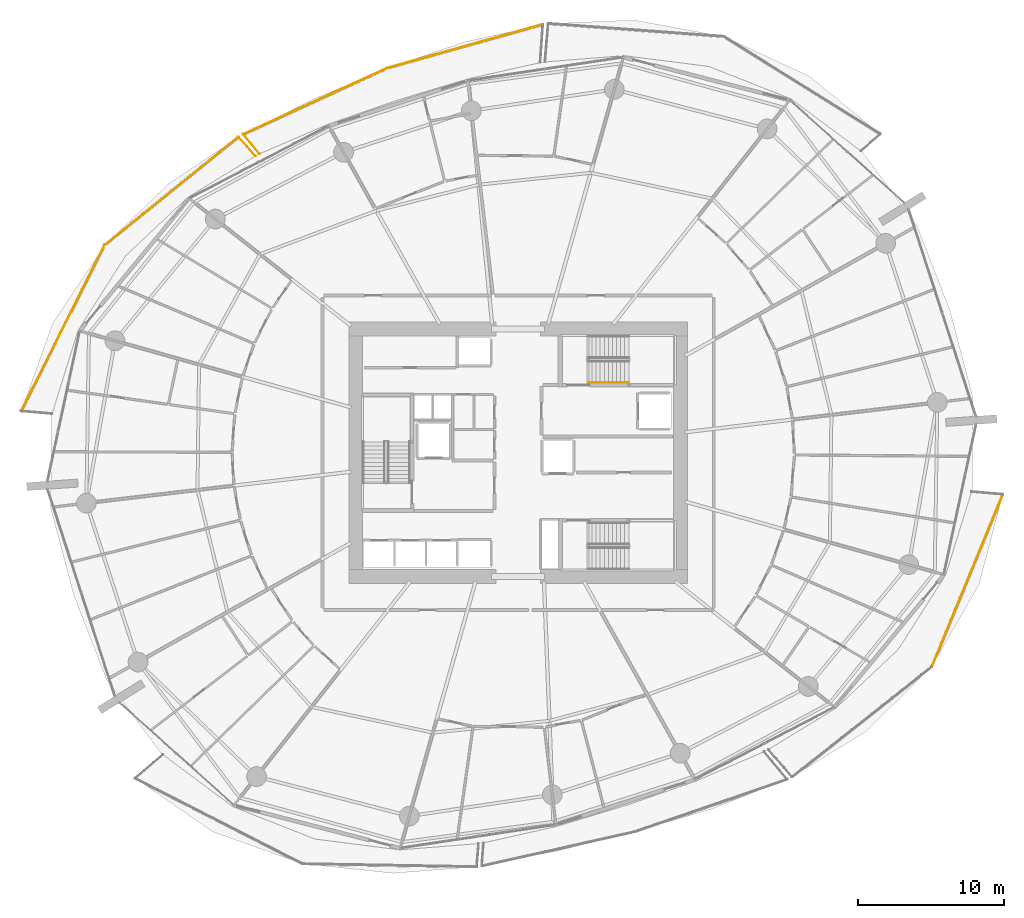
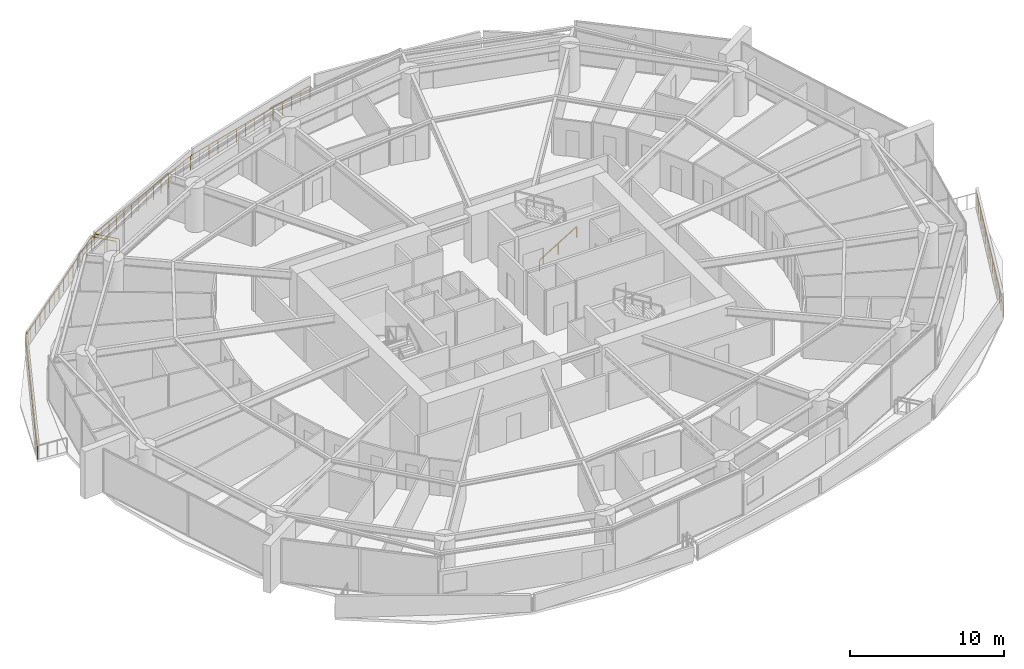
# One storey, part 30 of 32: 8 railings.
"""IFC4 building model written with IfcOpenShell, lengths in metres."""

from ifc_helpers import new_model, si_unit, direction, frame, origin, origin_2d, place, context, subcontext, project, spatial, rectangle, extrude, material, type_object, element, save


model = new_model("IFC4")

# Units and contexts
model_context = context("Model", 3, precision=1e-05, world=origin(), true_north=direction((0.0, 1.0)))
body_context = subcontext(model_context, "Body", "Model", "MODEL_VIEW")
ifc_project = project(units=[si_unit("LENGTHUNIT", "METRE"), si_unit("AREAUNIT", "SQUARE_METRE"), si_unit("VOLUMEUNIT", "CUBIC_METRE"), si_unit("PLANEANGLEUNIT", "RADIAN"), si_unit("MASSUNIT", "GRAM", prefix="KILO")], contexts=[model_context])

# Site, building, storey
site_placement = place(None, origin())
site = spatial("IfcSite", under=ifc_project, at=site_placement, CompositionType="ELEMENT")
building_placement = place(site_placement, origin())
building = spatial("IfcBuilding", under=site, at=building_placement, Name="Kazma Halo Residences", CompositionType="ELEMENT")
storey_placement = place(building_placement, frame((0.0, 0.0, 63.89990234375)))
storey = spatial("IfcBuildingStorey", under=building, at=storey_placement, Name="L15", CompositionType="ELEMENT", Elevation=63.89990234375)

# Railings
ifc_material_1 = material(Name="Aluminium AW-6063 T6 Brushed Cap Rail", Category="aluminium")
railing_type_1 = type_object("IfcRailingType", Name="RLG-BAL-CAP-1120", PredefinedType="BALUSTRADE", material=ifc_material_1)
railing_1_placement = place(storey_placement, frame((50.125732421875, 71.298583984375, 0.0)))
element("IfcRailing", 1, at=railing_1_placement, inside=storey, type_object=railing_type_1, Name="L15 NNW wave balcony guard 2", PredefinedType="BALUSTRADE", context=body_context, shape_type="SweptSolid", body=[
    extrude(rectangle(XDim=0.050048828125, YDim=0.050048828125, at=origin_2d()), frame((-0.041015625, -0.011474609375, 1.09521484375), z_axis=(-0.962607692891, -0.270899297871, 0.0), x_axis=(0.270899297871, -0.962607692891, 0.0)), (0.0, 0.0, 1.0), 10.9990234375),
    extrude(rectangle(XDim=0.0400390625, YDim=0.0400390625, at=origin_2d()), origin(), (0.0, 0.0, 1.0), 1.05810546875),
    extrude(rectangle(XDim=0.0400390625, YDim=0.0400390625, at=origin_2d()), frame((-0.82080078125, -0.23095703125, 0.0)), (0.0, 0.0, 1.0), 1.05810546875),
    extrude(rectangle(XDim=0.0400390625, YDim=0.0400390625, at=origin_2d()), frame((-1.6416015625, -0.4619140625, 0.0)), (0.0, 0.0, 1.0), 1.05810546875),
    extrude(rectangle(XDim=0.0400390625, YDim=0.0400390625, at=origin_2d()), frame((-2.462158203125, -0.69287109375, 0.0)), (0.0, 0.0, 1.0), 1.05810546875),
    extrude(rectangle(XDim=0.0400390625, YDim=0.0400390625, at=origin_2d()), frame((-3.282958984375, -0.923828125, 0.0)), (0.0, 0.0, 1.0), 1.05810546875),
    extrude(rectangle(XDim=0.0400390625, YDim=0.0400390625, at=origin_2d()), frame((-4.103759765625, -1.15478515625, 0.0)), (0.0, 0.0, 1.0), 1.05810546875),
    extrude(rectangle(XDim=0.0400390625, YDim=0.0400390625, at=origin_2d()), frame((-4.924560546875, -1.3857421875, 0.0)), (0.0, 0.0, 1.0), 1.05810546875),
    extrude(rectangle(XDim=0.0400390625, YDim=0.0400390625, at=origin_2d()), frame((-5.7451171875, -1.616943359375, 0.0)), (0.0, 0.0, 1.0), 1.05810546875),
    extrude(rectangle(XDim=0.0400390625, YDim=0.0400390625, at=origin_2d()), frame((-6.56591796875, -1.847900390625, 0.0)), (0.0, 0.0, 1.0), 1.05810546875),
    extrude(rectangle(XDim=0.0400390625, YDim=0.0400390625, at=origin_2d()), frame((-7.38671875, -2.078857421875, 0.0)), (0.0, 0.0, 1.0), 1.05810546875),
    extrude(rectangle(XDim=0.0400390625, YDim=0.0400390625, at=origin_2d()), frame((-8.20751953125, -2.309814453125, 0.0)), (0.0, 0.0, 1.0), 1.05810546875),
    extrude(rectangle(XDim=0.0400390625, YDim=0.0400390625, at=origin_2d()), frame((-9.028076171875, -2.540771484375, 0.0)), (0.0, 0.0, 1.0), 1.05810546875),
    extrude(rectangle(XDim=0.0400390625, YDim=0.0400390625, at=origin_2d()), frame((-9.848876953125, -2.771728515625, 0.0)), (0.0, 0.0, 1.0), 1.05810546875),
    extrude(rectangle(XDim=0.0400390625, YDim=0.0400390625, at=origin_2d()), frame((-10.669677734375, -3.002685546875, 0.0)), (0.0, 0.0, 1.0), 1.05810546875),
])
railing_2_placement = place(storey_placement, frame((39.4560546875, 68.2958984375, 0.0)))
element("IfcRailing", 2, at=railing_2_placement, inside=storey, type_object=railing_type_1, Name="L15 NNW wave balcony guard 3", PredefinedType="BALUSTRADE", context=body_context, shape_type="SweptSolid", body=[
    extrude(rectangle(XDim=0.050048828125, YDim=0.050048828125, at=origin_2d()), frame((-0.03857421875, -0.017822265625, 1.09521484375), z_axis=(-0.908696513556, -0.417457358603, 0.0), x_axis=(0.417457358603, -0.908696513556, 0.0)), (0.0, 0.0, 1.0), 10.73193359375),
    extrude(rectangle(XDim=0.0400390625, YDim=0.0400390625, at=origin_2d()), origin(), (0.0, 0.0, 1.0), 1.05810546875),
    extrude(rectangle(XDim=0.0400390625, YDim=0.0400390625, at=origin_2d()), frame((-0.756103515625, -0.347412109375, 0.0)), (0.0, 0.0, 1.0), 1.05810546875),
    extrude(rectangle(XDim=0.0400390625, YDim=0.0400390625, at=origin_2d()), frame((-1.51220703125, -0.69482421875, 0.0)), (0.0, 0.0, 1.0), 1.05810546875),
    extrude(rectangle(XDim=0.0400390625, YDim=0.0400390625, at=origin_2d()), frame((-2.268310546875, -1.0419921875, 0.0)), (0.0, 0.0, 1.0), 1.05810546875),
    extrude(rectangle(XDim=0.0400390625, YDim=0.0400390625, at=origin_2d()), frame((-3.0244140625, -1.389404296875, 0.0)), (0.0, 0.0, 1.0), 1.05810546875),
    extrude(rectangle(XDim=0.0400390625, YDim=0.0400390625, at=origin_2d()), frame((-3.780517578125, -1.73681640625, 0.0)), (0.0, 0.0, 1.0), 1.05810546875),
    extrude(rectangle(XDim=0.0400390625, YDim=0.0400390625, at=origin_2d()), frame((-4.53662109375, -2.084228515625, 0.0)), (0.0, 0.0, 1.0), 1.05810546875),
    extrude(rectangle(XDim=0.0400390625, YDim=0.0400390625, at=origin_2d()), frame((-5.292724609375, -2.431396484375, 0.0)), (0.0, 0.0, 1.0), 1.05810546875),
    extrude(rectangle(XDim=0.0400390625, YDim=0.0400390625, at=origin_2d()), frame((-6.048828125, -2.77880859375, 0.0)), (0.0, 0.0, 1.0), 1.05810546875),
    extrude(rectangle(XDim=0.0400390625, YDim=0.0400390625, at=origin_2d()), frame((-6.804931640625, -3.126220703125, 0.0)), (0.0, 0.0, 1.0), 1.05810546875),
    extrude(rectangle(XDim=0.0400390625, YDim=0.0400390625, at=origin_2d()), frame((-7.56103515625, -3.4736328125, 0.0)), (0.0, 0.0, 1.0), 1.05810546875),
    extrude(rectangle(XDim=0.0400390625, YDim=0.0400390625, at=origin_2d()), frame((-8.317138671875, -3.82080078125, 0.0)), (0.0, 0.0, 1.0), 1.05810546875),
    extrude(rectangle(XDim=0.0400390625, YDim=0.0400390625, at=origin_2d()), frame((-9.0732421875, -4.168212890625, 0.0)), (0.0, 0.0, 1.0), 1.05810546875),
    extrude(rectangle(XDim=0.0400390625, YDim=0.0400390625, at=origin_2d()), frame((-9.829345703125, -4.515625, 0.0)), (0.0, 0.0, 1.0), 1.05810546875),
])
railing_3_placement = place(storey_placement, frame((29.626708984375, 63.7802734375, 0.0)))
element("IfcRailing", 3, at=railing_3_placement, inside=storey, type_object=railing_type_1, Name="L15 NNW wave balcony guard 4", PredefinedType="BALUSTRADE", context=body_context, shape_type="SweptSolid", body=[
    extrude(rectangle(XDim=0.050048828125, YDim=0.050048828125, at=origin_2d()), frame((0.02734375, -0.032470703125, 1.09521484375), z_axis=(0.64482495794, -0.764330277836, 0.0), x_axis=(0.764330277836, 0.64482495794, 0.0)), (0.0, 0.0, 1.0), 1.65966796875),
    extrude(rectangle(XDim=0.0400390625, YDim=0.0400390625, at=origin_2d()), origin(), (0.0, 0.0, 1.0), 1.05810546875),
    extrude(rectangle(XDim=0.0400390625, YDim=0.0400390625, at=origin_2d()), frame((0.5625, -0.666748046875, 0.0)), (0.0, 0.0, 1.0), 1.05810546875),
    extrude(rectangle(XDim=0.0400390625, YDim=0.0400390625, at=origin_2d()), frame((1.125, -1.33349609375, 0.0)), (0.0, 0.0, 1.0), 1.05810546875),
])
railing_4_placement = place(storey_placement, frame((30.453857421875, 62.29150390625, 0.0)))
element("IfcRailing", 4, at=railing_4_placement, inside=storey, type_object=railing_type_1, Name="L15 NW wave balcony guard 1", PredefinedType="BALUSTRADE", context=body_context, shape_type="SweptSolid", body=[
    extrude(rectangle(XDim=0.050048828125, YDim=0.050048828125, at=origin_2d()), frame((-0.02783203125, 0.0322265625, 1.09521484375), z_axis=(-0.654073667873, 0.756430854074, 0.0), x_axis=(-0.756430854074, -0.654073667873, 0.0)), (0.0, 0.0, 1.0), 1.6513671875),
    extrude(rectangle(XDim=0.0400390625, YDim=0.0400390625, at=origin_2d()), origin(), (0.0, 0.0, 1.0), 1.05810546875),
    extrude(rectangle(XDim=0.0400390625, YDim=0.0400390625, at=origin_2d()), frame((-0.56787109375, 0.65673828125, 0.0)), (0.0, 0.0, 1.0), 1.05810546875),
    extrude(rectangle(XDim=0.0400390625, YDim=0.0400390625, at=origin_2d()), frame((-1.1357421875, 1.3134765625, 0.0)), (0.0, 0.0, 1.0), 1.05810546875),
])
railing_5_placement = place(storey_placement, frame((29.318115234375, 63.60498046875, 0.0)))
element("IfcRailing", 5, at=railing_5_placement, inside=storey, type_object=railing_type_1, Name="L15 NW wave balcony guard 2", PredefinedType="BALUSTRADE", context=body_context, shape_type="SweptSolid", body=[
    extrude(rectangle(XDim=0.050048828125, YDim=0.050048828125, at=origin_2d()), frame((-0.033203125, -0.026611328125, 1.09521484375), z_axis=(-0.778157860784, -0.628068741222, 0.0), x_axis=(0.628068741222, -0.778157860784, 0.0)), (0.0, 0.0, 1.0), 11.711181640625),
    extrude(rectangle(XDim=0.0400390625, YDim=0.0400390625, at=origin_2d()), origin(), (0.0, 0.0, 1.0), 1.05810546875),
    extrude(rectangle(XDim=0.0400390625, YDim=0.0400390625, at=origin_2d()), frame((-0.65576171875, -0.529296875, 0.0)), (0.0, 0.0, 1.0), 1.05810546875),
    extrude(rectangle(XDim=0.0400390625, YDim=0.0400390625, at=origin_2d()), frame((-1.311279296875, -1.058349609375, 0.0)), (0.0, 0.0, 1.0), 1.05810546875),
    extrude(rectangle(XDim=0.0400390625, YDim=0.0400390625, at=origin_2d()), frame((-1.967041015625, -1.587646484375, 0.0)), (0.0, 0.0, 1.0), 1.05810546875),
    extrude(rectangle(XDim=0.0400390625, YDim=0.0400390625, at=origin_2d()), frame((-2.622802734375, -2.116943359375, 0.0)), (0.0, 0.0, 1.0), 1.05810546875),
    extrude(rectangle(XDim=0.0400390625, YDim=0.0400390625, at=origin_2d()), frame((-3.2783203125, -2.64599609375, 0.0)), (0.0, 0.0, 1.0), 1.05810546875),
    extrude(rectangle(XDim=0.0400390625, YDim=0.0400390625, at=origin_2d()), frame((-3.93408203125, -3.17529296875, 0.0)), (0.0, 0.0, 1.0), 1.05810546875),
    extrude(rectangle(XDim=0.0400390625, YDim=0.0400390625, at=origin_2d()), frame((-4.58984375, -3.70458984375, 0.0)), (0.0, 0.0, 1.0), 1.05810546875),
    extrude(rectangle(XDim=0.0400390625, YDim=0.0400390625, at=origin_2d()), frame((-5.245361328125, -4.233642578125, 0.0)), (0.0, 0.0, 1.0), 1.05810546875),
    extrude(rectangle(XDim=0.0400390625, YDim=0.0400390625, at=origin_2d()), frame((-5.901123046875, -4.762939453125, 0.0)), (0.0, 0.0, 1.0), 1.05810546875),
    extrude(rectangle(XDim=0.0400390625, YDim=0.0400390625, at=origin_2d()), frame((-6.556640625, -5.2919921875, 0.0)), (0.0, 0.0, 1.0), 1.05810546875),
    extrude(rectangle(XDim=0.0400390625, YDim=0.0400390625, at=origin_2d()), frame((-7.21240234375, -5.8212890625, 0.0)), (0.0, 0.0, 1.0), 1.05810546875),
    extrude(rectangle(XDim=0.0400390625, YDim=0.0400390625, at=origin_2d()), frame((-7.8681640625, -6.3505859375, 0.0)), (0.0, 0.0, 1.0), 1.05810546875),
    extrude(rectangle(XDim=0.0400390625, YDim=0.0400390625, at=origin_2d()), frame((-8.523681640625, -6.879638671875, 0.0)), (0.0, 0.0, 1.0), 1.05810546875),
    extrude(rectangle(XDim=0.0400390625, YDim=0.0400390625, at=origin_2d()), frame((-9.179443359375, -7.408935546875, 0.0)), (0.0, 0.0, 1.0), 1.05810546875),
])
railing_6_placement = place(storey_placement, frame((20.138671875, 56.196044921875, 0.0)))
element("IfcRailing", 6, at=railing_6_placement, inside=storey, type_object=railing_type_1, Name="L15 NW wave balcony guard 3", PredefinedType="BALUSTRADE", context=body_context, shape_type="SweptSolid", body=[
    extrude(rectangle(XDim=0.050048828125, YDim=0.050048828125, at=origin_2d()), frame((-0.01904296875, -0.0380859375, 1.09521484375), z_axis=(-0.448451441279, -0.893807196667, 0.0), x_axis=(0.893807196667, -0.448451441279, 0.0)), (0.0, 0.0, 1.0), 12.612060546875),
    extrude(rectangle(XDim=0.0400390625, YDim=0.0400390625, at=origin_2d()), origin(), (0.0, 0.0, 1.0), 1.05810546875),
    extrude(rectangle(XDim=0.0400390625, YDim=0.0400390625, at=origin_2d()), frame((-0.379638671875, -0.756591796875, 0.0)), (0.0, 0.0, 1.0), 1.05810546875),
    extrude(rectangle(XDim=0.0400390625, YDim=0.0400390625, at=origin_2d()), frame((-0.75927734375, -1.51318359375, 0.0)), (0.0, 0.0, 1.0), 1.05810546875),
    extrude(rectangle(XDim=0.0400390625, YDim=0.0400390625, at=origin_2d()), frame((-1.138916015625, -2.269775390625, 0.0)), (0.0, 0.0, 1.0), 1.05810546875),
    extrude(rectangle(XDim=0.0400390625, YDim=0.0400390625, at=origin_2d()), frame((-1.518310546875, -3.0263671875, 0.0)), (0.0, 0.0, 1.0), 1.05810546875),
    extrude(rectangle(XDim=0.0400390625, YDim=0.0400390625, at=origin_2d()), frame((-1.89794921875, -3.782958984375, 0.0)), (0.0, 0.0, 1.0), 1.05810546875),
    extrude(rectangle(XDim=0.0400390625, YDim=0.0400390625, at=origin_2d()), frame((-2.277587890625, -4.53955078125, 0.0)), (0.0, 0.0, 1.0), 1.05810546875),
    extrude(rectangle(XDim=0.0400390625, YDim=0.0400390625, at=origin_2d()), frame((-2.6572265625, -5.296142578125, 0.0)), (0.0, 0.0, 1.0), 1.05810546875),
    extrude(rectangle(XDim=0.0400390625, YDim=0.0400390625, at=origin_2d()), frame((-3.036865234375, -6.052734375, 0.0)), (0.0, 0.0, 1.0), 1.05810546875),
    extrude(rectangle(XDim=0.0400390625, YDim=0.0400390625, at=origin_2d()), frame((-3.41650390625, -6.809326171875, 0.0)), (0.0, 0.0, 1.0), 1.05810546875),
    extrude(rectangle(XDim=0.0400390625, YDim=0.0400390625, at=origin_2d()), frame((-3.796142578125, -7.56591796875, 0.0)), (0.0, 0.0, 1.0), 1.05810546875),
    extrude(rectangle(XDim=0.0400390625, YDim=0.0400390625, at=origin_2d()), frame((-4.17578125, -8.322509765625, 0.0)), (0.0, 0.0, 1.0), 1.05810546875),
    extrude(rectangle(XDim=0.0400390625, YDim=0.0400390625, at=origin_2d()), frame((-4.55517578125, -9.0791015625, 0.0)), (0.0, 0.0, 1.0), 1.05810546875),
    extrude(rectangle(XDim=0.0400390625, YDim=0.0400390625, at=origin_2d()), frame((-4.934814453125, -9.835693359375, 0.0)), (0.0, 0.0, 1.0), 1.05810546875),
    extrude(rectangle(XDim=0.0400390625, YDim=0.0400390625, at=origin_2d()), frame((-5.314453125, -10.59228515625, 0.0)), (0.0, 0.0, 1.0), 1.05810546875),
    extrude(rectangle(XDim=0.0400390625, YDim=0.0400390625, at=origin_2d()), frame((-5.694091796875, -11.348876953125, 0.0)), (0.0, 0.0, 1.0), 1.05810546875),
])
railing_7_placement = place(storey_placement, frame((76.717529296875, 27.36767578125, 0.0)))
element("IfcRailing", 7, at=railing_7_placement, inside=storey, type_object=railing_type_1, Name="L15 SE wave balcony guard 3", PredefinedType="BALUSTRADE", context=body_context, shape_type="SweptSolid", body=[
    extrude(rectangle(XDim=0.050048828125, YDim=0.050048828125, at=origin_2d()), frame((0.01611328125, 0.039306640625, 1.09521484375), z_axis=(0.38108024228, 0.924541967108, 0.0), x_axis=(-0.924541967108, 0.38108024228, 0.0)), (0.0, 0.0, 1.0), 12.66015625),
    extrude(rectangle(XDim=0.0400390625, YDim=0.0400390625, at=origin_2d()), origin(), (0.0, 0.0, 1.0), 1.05810546875),
    extrude(rectangle(XDim=0.0400390625, YDim=0.0400390625, at=origin_2d()), frame((0.32373046875, 0.78564453125, 0.0)), (0.0, 0.0, 1.0), 1.05810546875),
    extrude(rectangle(XDim=0.0400390625, YDim=0.0400390625, at=origin_2d()), frame((0.647705078125, 1.571044921875, 0.0)), (0.0, 0.0, 1.0), 1.05810546875),
    extrude(rectangle(XDim=0.0400390625, YDim=0.0400390625, at=origin_2d()), frame((0.971435546875, 2.356689453125, 0.0)), (0.0, 0.0, 1.0), 1.05810546875),
    extrude(rectangle(XDim=0.0400390625, YDim=0.0400390625, at=origin_2d()), frame((1.295166015625, 3.142333984375, 0.0)), (0.0, 0.0, 1.0), 1.05810546875),
    extrude(rectangle(XDim=0.0400390625, YDim=0.0400390625, at=origin_2d()), frame((1.618896484375, 3.927734375, 0.0)), (0.0, 0.0, 1.0), 1.05810546875),
    extrude(rectangle(XDim=0.0400390625, YDim=0.0400390625, at=origin_2d()), frame((1.94287109375, 4.71337890625, 0.0)), (0.0, 0.0, 1.0), 1.05810546875),
    extrude(rectangle(XDim=0.0400390625, YDim=0.0400390625, at=origin_2d()), frame((2.2666015625, 5.4990234375, 0.0)), (0.0, 0.0, 1.0), 1.05810546875),
    extrude(rectangle(XDim=0.0400390625, YDim=0.0400390625, at=origin_2d()), frame((2.59033203125, 6.284423828125, 0.0)), (0.0, 0.0, 1.0), 1.05810546875),
    extrude(rectangle(XDim=0.0400390625, YDim=0.0400390625, at=origin_2d()), frame((2.9140625, 7.070068359375, 0.0)), (0.0, 0.0, 1.0), 1.05810546875),
    extrude(rectangle(XDim=0.0400390625, YDim=0.0400390625, at=origin_2d()), frame((3.238037109375, 7.855712890625, 0.0)), (0.0, 0.0, 1.0), 1.05810546875),
    extrude(rectangle(XDim=0.0400390625, YDim=0.0400390625, at=origin_2d()), frame((3.561767578125, 8.64111328125, 0.0)), (0.0, 0.0, 1.0), 1.05810546875),
    extrude(rectangle(XDim=0.0400390625, YDim=0.0400390625, at=origin_2d()), frame((3.885498046875, 9.4267578125, 0.0)), (0.0, 0.0, 1.0), 1.05810546875),
    extrude(rectangle(XDim=0.0400390625, YDim=0.0400390625, at=origin_2d()), frame((4.209228515625, 10.21240234375, 0.0)), (0.0, 0.0, 1.0), 1.05810546875),
    extrude(rectangle(XDim=0.0400390625, YDim=0.0400390625, at=origin_2d()), frame((4.533203125, 10.997802734375, 0.0)), (0.0, 0.0, 1.0), 1.05810546875),
    extrude(rectangle(XDim=0.0400390625, YDim=0.0400390625, at=origin_2d()), frame((4.85693359375, 11.783447265625, 0.0)), (0.0, 0.0, 1.0), 1.05810546875),
])
ifc_material_2 = material(Name="Brushed Stainless Steel", Category="steel")
railing_type_2 = type_object("IfcRailingType", Name="RLG-STAIR-HND-900", PredefinedType="HANDRAIL", material=ifc_material_2)
railing_8_placement = place(storey_placement, frame((53.199951171875, 46.800048828125, 0.170654296875)))
element("IfcRailing", 8, at=railing_8_placement, inside=storey, type_object=railing_type_2, Name="L15 ST-02 stair handrail 1", PredefinedType="HANDRAIL", context=body_context, shape_type="SweptSolid", body=[
    extrude(rectangle(XDim=0.050048828125, YDim=0.050048828125, at=origin_2d()), frame((0.036376953125, 0.0, 0.89697265625), z_axis=(0.854202870247, 0.0, 0.519939858505), x_axis=(0.0, 1.0, 0.0)), (0.0, 0.0, 1.0), 3.19287109375),
    extrude(rectangle(XDim=0.0400390625, YDim=0.0400390625, at=origin_2d()), origin(), (0.0, 0.0, 1.0), 0.837890625),
    extrude(rectangle(XDim=0.0400390625, YDim=0.0400390625, at=origin_2d()), frame((1.39990234375, 0.0, 0.85205078125)), (0.0, 0.0, 1.0), 0.837890625),
    extrude(rectangle(XDim=0.0400390625, YDim=0.0400390625, at=origin_2d()), frame((2.800048828125, 0.0, 1.704345703125)), (0.0, 0.0, 1.0), 0.837890625),
])

save(model, "model.ifc")
